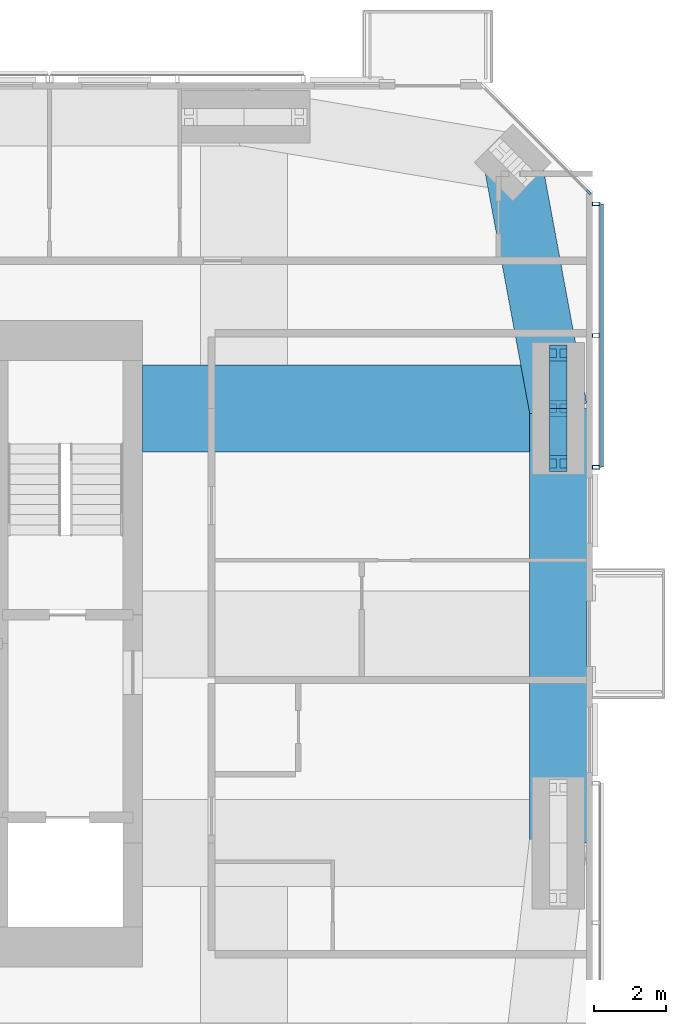
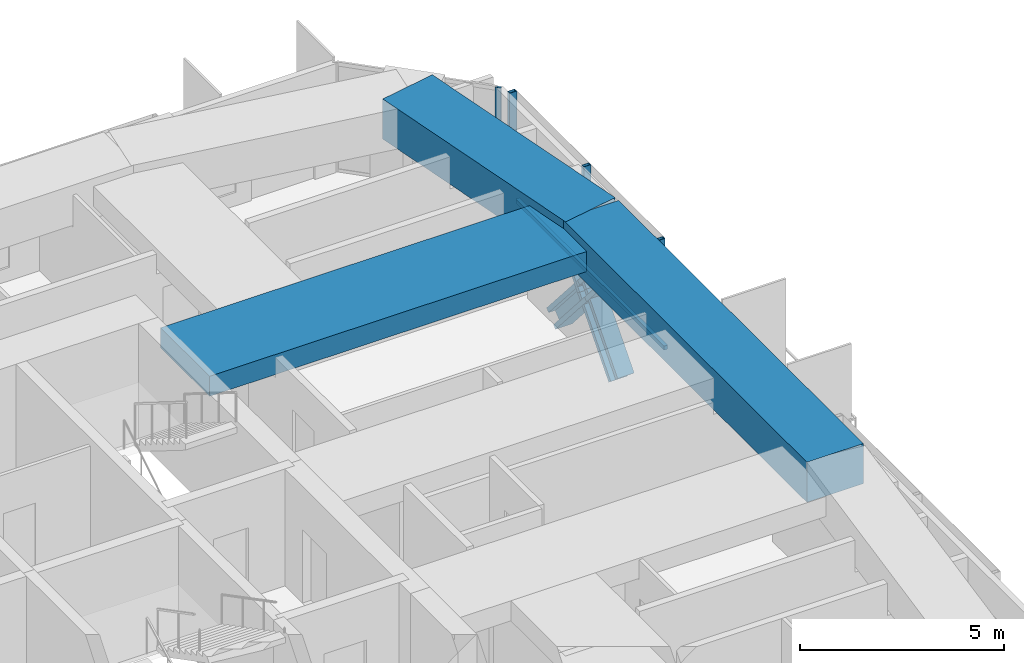
# One storey, part 8 of 18: 9 members, 3 beams, 2 elements without a shape of their own.
"""IFC4 building model written with IfcOpenShell, lengths in metres."""

from ifc_helpers import new_model, si_unit, direction, frame, origin, origin_2d, place, context, subcontext, project, spatial, rectangle, hollow_rectangle, i_section, extrude, material, material_profile, profile_set, type_object, element, aggregate, save


model = new_model("IFC4")

# Units and contexts
model_context = context("Model", 3, precision=1e-05, world=origin(), true_north=direction((0.0, 1.0)))
body_context = subcontext(model_context, "Body", "Model", "MODEL_VIEW")
ifc_project = project(units=[si_unit("LENGTHUNIT", "METRE"), si_unit("AREAUNIT", "SQUARE_METRE"), si_unit("VOLUMEUNIT", "CUBIC_METRE"), si_unit("PLANEANGLEUNIT", "RADIAN"), si_unit("MASSUNIT", "GRAM", prefix="KILO")], contexts=[model_context])

# Site, building, storey
site_placement = place(None, origin())
site = spatial("IfcSite", under=ifc_project, at=site_placement, CompositionType="ELEMENT")
building_placement = place(site_placement, origin())
building = spatial("IfcBuilding", under=site, at=building_placement, Name="Jalousie Tower", CompositionType="ELEMENT")
storey_placement = place(building_placement, frame((0.0, 0.0, 228.449951171875)))
storey = spatial("IfcBuildingStorey", under=building, at=storey_placement, Name="L62", CompositionType="ELEMENT", Elevation=228.449951171875)

# Curtain wall, member
ifc_material_1 = material(Name="Aluminium curtain wall", Category="aluminium")
curtain_wall_type_1 = type_object("IfcCurtainWallType", Name="CORNER WINDOW WALL", PredefinedType="USERDEFINED", material=ifc_material_1)
curtain_wall_1_placement = place(storey_placement, origin())
curtain_wall_1 = element("IfcCurtainWall", 1, at=curtain_wall_1_placement, inside=storey, type_object=curtain_wall_type_1, Name="Corner Window Wall L62 4", ObjectType="CORNER WINDOW WALL", PredefinedType="USERDEFINED")
ifc_material_2 = material(Name="Aluminium mullion", Category="aluminium")
ifc_material_profile_1 = material_profile(ifc_material_2, rectangle(XDim=0.06005859375, YDim=0.14990234375, at=origin_2d()), Name="MULLION 60x150")
ifc_profile_set_1 = profile_set([ifc_material_profile_1], Name="Aluminium mullion")
member_type_1 = type_object("IfcMemberType", Name="CORNER WINDOW WALL MULLION", PredefinedType="MULLION", material=ifc_profile_set_1)
member_1_placement = place(storey_placement, frame((56.391357421875, 30.969970703125, 0.0), z_axis=(0.0, 0.0, 1.0), x_axis=(-0.707106781187, -0.707106781187, 0.0)))
member_1 = element("IfcMember", 2, at=member_1_placement, type_object=member_type_1, Name="CW-C mullion 1", PredefinedType="MULLION", context=body_context, shape_type="SweptSolid", body=[
    extrude(rectangle(XDim=0.06005859375, YDim=0.14990234375, at=origin_2d()), origin(), (0.0, 0.0, 1.0), 3.260009765625),
])
aggregate(curtain_wall_1, [member_1])

# Members
ifc_material_3 = material(Name="Steel ASTM A992 Grade 50", Category="steel")
ifc_material_profile_2 = material_profile(ifc_material_3, i_section(OverallWidth=0.472412109375, OverallDepth=0.5791015625, WebThickness=0.094970703125, FlangeThickness=0.1298828125, at=origin_2d()), Name="W14X808")
ifc_profile_set_2 = profile_set([ifc_material_profile_2], Name="Steel ASTM A992 Grade 50")
member_type_2 = type_object("IfcMemberType", Name="PERIMETER BRACE W14X808", PredefinedType="BRACE", material=ifc_profile_set_2)
for number, where, z_axis, x_axis, name in (
    (3, (55.550048828125, 23.47509765625, -0.599853515625), (0.0, 0.65695436777, 0.753930340726), (-1.0, 0.0, 0.0), "Perimeter brace 07 L62 part 1"),
    (4, (55.550048828125, 25.0, 1.150146484375), (0.0, 0.65695436777, 0.753930340726), (-1.0, 0.0, 0.0), "Perimeter brace 07 L62 part 2"),
    (5, (55.550048828125, 26.52490234375, -0.599853515625), (0.0, -0.65695436777, 0.753930340726), (1.0, 0.0, 0.0), "Perimeter brace 07 L62 part 3"),
    (6, (55.550048828125, 25.0, 1.150146484375), (0.0, -0.65695436777, 0.753930340726), (1.0, 0.0, 0.0), "Perimeter brace 07 L62 part 4"),
):
    element("IfcMember", number, at=place(storey_placement, frame(where, z_axis=z_axis, x_axis=x_axis)), inside=storey, type_object=member_type_2, Name=name, PredefinedType="BRACE", context=body_context, shape_type="SweptSolid", body=[
        extrude(i_section(OverallWidth=0.472412109375, OverallDepth=0.5791015625, WebThickness=0.094970703125, FlangeThickness=0.1298828125, at=origin_2d()), origin(), (0.0, 0.0, 1.0), 2.3212890625),
    ])

# Beams
ifc_material_4 = material(Name="Concrete f'c 40 MPa", Category="concrete")
ifc_material_profile_3 = material_profile(ifc_material_4, rectangle(XDim=1.60009765625, YDim=1.199951171875, at=origin_2d()), Name="RC 1600x1200")
ifc_profile_set_3 = profile_set([ifc_material_profile_3], Name="Concrete f'c 40 MPa")
beam_type_1 = type_object("IfcBeamType", Name="RC BEAM 1600x1200", PredefinedType="BEAM", material=ifc_profile_set_3)
beam_1_placement = place(storey_placement, frame((55.550048828125, 13.0, 2.900146484375), z_axis=(0.0, 1.0, 0.0), x_axis=(-1.0, 0.0, 0.0)))
element("IfcBeam", 7, at=beam_1_placement, inside=storey, type_object=beam_type_1, Name="Edge band beam 06-07 under L63", PredefinedType="BEAM", context=body_context, shape_type="SweptSolid", body=[
    extrude(rectangle(XDim=1.60009765625, YDim=1.199951171875, at=origin_2d()), origin(), (0.0, 0.0, 1.0), 12.0),
])
beam_2_placement = place(storey_placement, frame((55.550048828125, 25.0, 2.900146484375), z_axis=(-0.181966505593, 0.983304729391, 0.0), x_axis=(-0.983304729391, -0.181966505593, 0.0)))
element("IfcBeam", 8, at=beam_2_placement, inside=storey, type_object=beam_type_1, Name="Edge band beam 07-08 under L63", PredefinedType="BEAM", context=body_context, shape_type="SweptSolid", body=[
    extrude(rectangle(XDim=1.60009765625, YDim=1.199951171875, at=origin_2d()), origin(), (0.0, 0.0, 1.0), 6.908203125),
])
ifc_material_5 = material(Name="Concrete f'c 40 MPa", Category="concrete")
ifc_material_profile_4 = material_profile(ifc_material_5, rectangle(XDim=2.39990234375, YDim=0.60009765625, at=origin_2d()), Name="RC 2400x600")
ifc_profile_set_4 = profile_set([ifc_material_profile_4], Name="Concrete f'c 40 MPa")
beam_type_2 = type_object("IfcBeamType", Name="RC BEAM 2400x600", PredefinedType="BEAM", material=ifc_profile_set_4)
beam_3_placement = place(storey_placement, frame((55.550048828125, 25.0, 2.9599609375), z_axis=(-1.0, 0.0, 0.0), x_axis=(0.0, -1.0, 0.0)))
element("IfcBeam", 9, at=beam_3_placement, inside=storey, type_object=beam_type_2, Name="Floor band beam under L63", PredefinedType="BEAM", context=body_context, shape_type="SweptSolid", body=[
    extrude(rectangle(XDim=2.39990234375, YDim=0.60009765625, at=origin_2d()), origin(), (0.0, 0.0, 1.0), 11.47509765625),
])

# Curtain wall, members
ifc_material_6 = material(Name="Perforated aluminium sheet", Category="aluminium")
curtain_wall_type_2 = type_object("IfcCurtainWallType", Name="SOLAR SCREEN SS-2", PredefinedType="USERDEFINED", material=ifc_material_6)
curtain_wall_2_placement = place(storey_placement, origin())
curtain_wall_2 = element("IfcCurtainWall", 10, at=curtain_wall_2_placement, inside=storey, type_object=curtain_wall_type_2, Name="Solar screen L62", ObjectType="SOLAR SCREEN SS-2", PredefinedType="USERDEFINED")
ifc_material_7 = material(Name="Steel ASTM A500 Grade C", Category="steel")
ifc_material_profile_5 = material_profile(ifc_material_7, hollow_rectangle(XDim=0.1015625, YDim=0.203125, WallThickness=0.0078125, at=origin_2d()), Name="HSS8X4X5/16")
ifc_profile_set_5 = profile_set([ifc_material_profile_5], Name="Steel ASTM A500 Grade C")
member_type_3 = type_object("IfcMemberType", Name="SOLAR SCREEN SS-2 MULLION", PredefinedType="MULLION", material=ifc_profile_set_5)
member_2_placement = place(storey_placement, frame((56.5966796875, 23.375, -0.119873046875), z_axis=(0.0, 0.0, 1.0), x_axis=(0.0, 1.0, 0.0)))
member_2 = element("IfcMember", 11, at=member_2_placement, type_object=member_type_3, Name="SS2 post 1", PredefinedType="MULLION", context=body_context, shape_type="SweptSolid", body=[
    extrude(hollow_rectangle(XDim=0.1015625, YDim=0.203125, WallThickness=0.0078125, at=origin_2d()), origin(), (0.0, 0.0, 1.0), 3.3798828125),
])
member_3_placement = place(storey_placement, frame((56.5966796875, 27.011962890625, -0.119873046875), z_axis=(0.0, 0.0, 1.0), x_axis=(0.0, 1.0, 0.0)))
member_3 = element("IfcMember", 12, at=member_3_placement, type_object=member_type_3, Name="SS2 post 2", PredefinedType="MULLION", context=body_context, shape_type="SweptSolid", body=[
    extrude(hollow_rectangle(XDim=0.1015625, YDim=0.203125, WallThickness=0.0078125, at=origin_2d()), origin(), (0.0, 0.0, 1.0), 3.3798828125),
])
member_4_placement = place(storey_placement, frame((56.5966796875, 30.648681640625, -0.119873046875), z_axis=(0.0, 0.0, 1.0), x_axis=(0.0, 1.0, 0.0)))
member_4 = element("IfcMember", 13, at=member_4_placement, type_object=member_type_3, Name="SS2 post 3", PredefinedType="MULLION", context=body_context, shape_type="SweptSolid", body=[
    extrude(hollow_rectangle(XDim=0.1015625, YDim=0.203125, WallThickness=0.0078125, at=origin_2d()), origin(), (0.0, 0.0, 1.0), 3.3798828125),
])
ifc_material_8 = material(Name="Extruded aluminium screen rail", Category="aluminium")
ifc_material_profile_6 = material_profile(ifc_material_8, rectangle(XDim=0.1015625, YDim=0.1201171875, at=origin_2d()), Name="RAIL 102x120")
ifc_profile_set_6 = profile_set([ifc_material_profile_6], Name="Extruded aluminium screen rail")
member_type_4 = type_object("IfcMemberType", Name="SOLAR SCREEN SS-2 TRANSOM", PredefinedType="USERDEFINED", material=ifc_profile_set_6)
member_5_placement = place(storey_placement, frame((56.7490234375, 23.375, -0.06005859375), z_axis=(0.0, 1.0, 0.0), x_axis=(-1.0, 0.0, 0.0)))
member_5 = element("IfcMember", 14, at=member_5_placement, type_object=member_type_4, Name="SS2 rail", ObjectType="TRANSOM", PredefinedType="USERDEFINED", context=body_context, shape_type="SweptSolid", body=[
    extrude(rectangle(XDim=0.1015625, YDim=0.1201171875, at=origin_2d()), origin(), (0.0, 0.0, 1.0), 7.273681640625),
])
aggregate(curtain_wall_2, [member_2, member_3, member_4, member_5])

save(model, "model.ifc")
